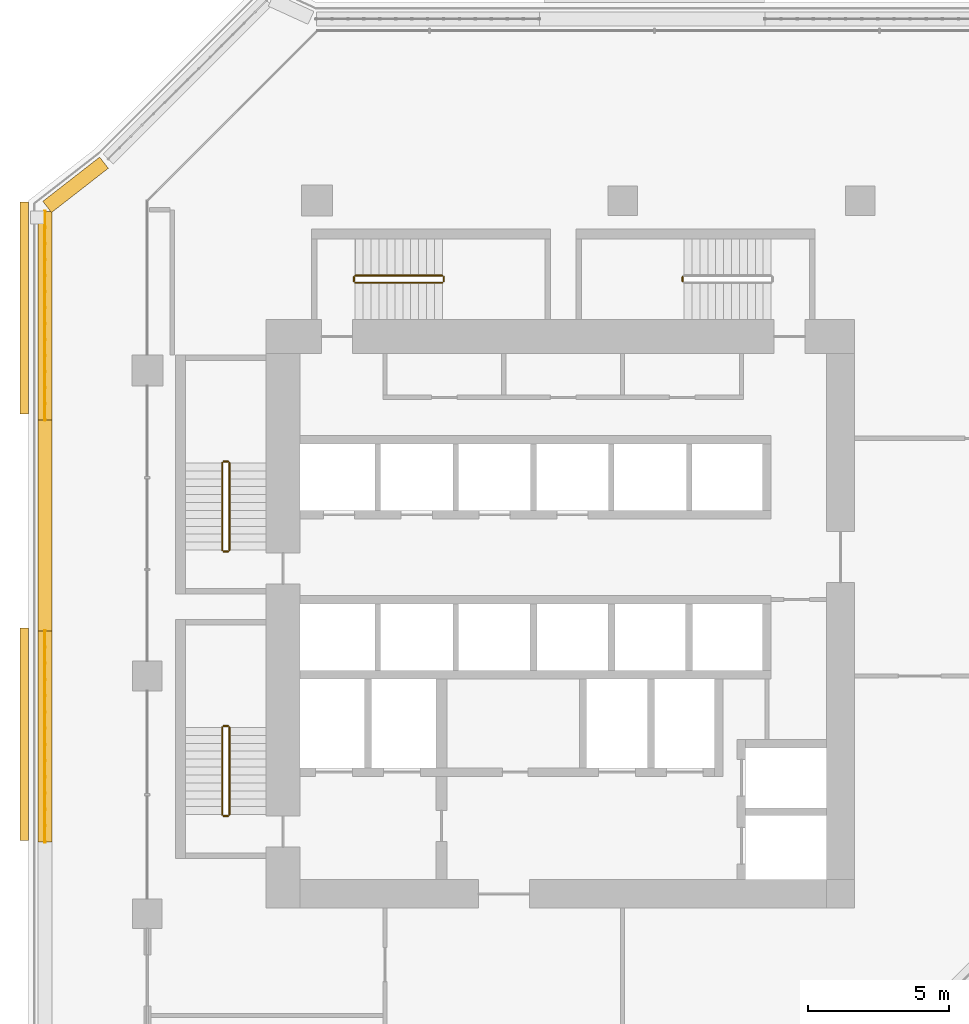
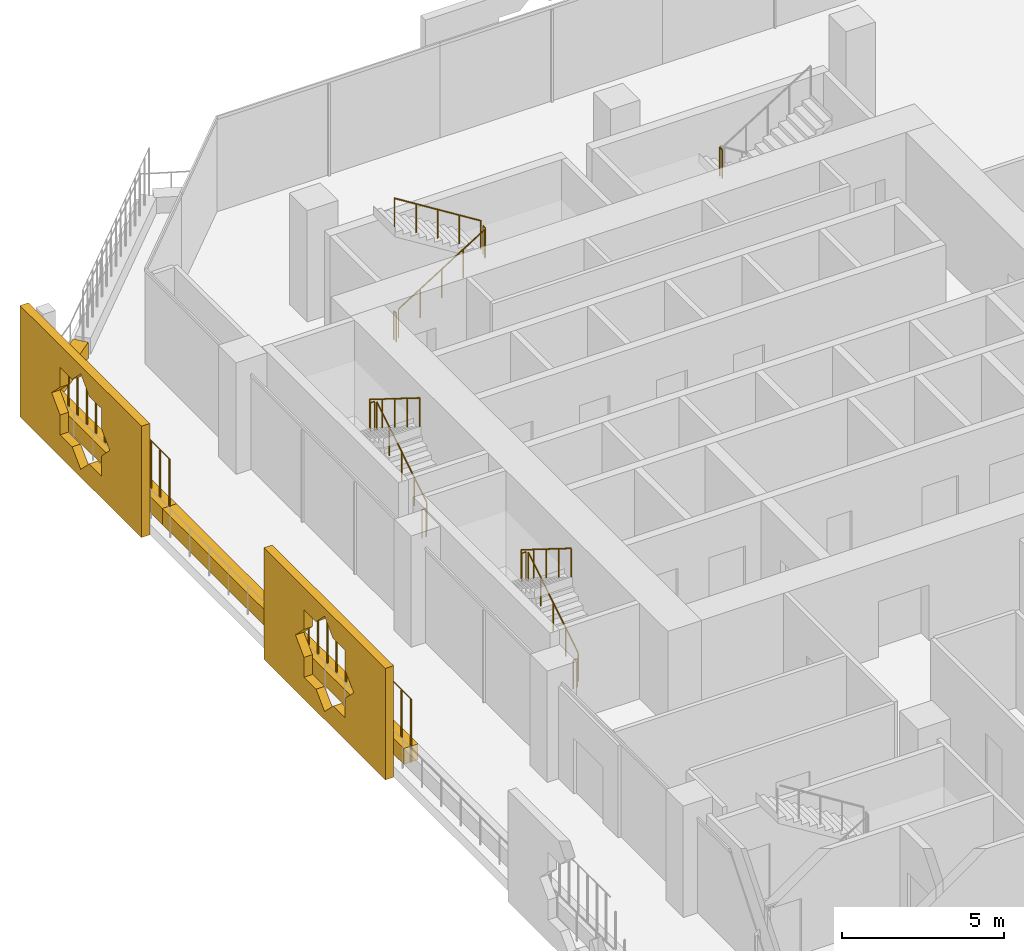
# One storey, part 21 of 25: 15 railings, 6 coverings.
"""IFC4 building model written with IfcOpenShell, lengths in metres."""

from ifc_helpers import new_model, si_unit, direction, frame, origin, origin_2d, place, context, subcontext, project, spatial, polyline, rectangle, circle, outline, extrude, material, material_profile, profile_set, type_object, element, save


model = new_model("IFC4")

# Units and contexts
model_context = context("Model", 3, precision=1e-05, world=origin(), true_north=direction((0.0, 1.0)))
body_context = subcontext(model_context, "Body", "Model", "MODEL_VIEW")
ifc_project = project(units=[si_unit("LENGTHUNIT", "METRE"), si_unit("AREAUNIT", "SQUARE_METRE"), si_unit("VOLUMEUNIT", "CUBIC_METRE"), si_unit("PLANEANGLEUNIT", "RADIAN"), si_unit("MASSUNIT", "GRAM", prefix="KILO")], contexts=[model_context])

# Site, building, storey
site_placement = place(None, origin())
site = spatial("IfcSite", under=ifc_project, at=site_placement, CompositionType="ELEMENT")
building_placement = place(site_placement, origin())
building = spatial("IfcBuilding", under=site, at=building_placement, Name="Kawkab Arch Medical Tower", CompositionType="ELEMENT")
storey_placement = place(building_placement, frame((0.0, 0.0, 145.0)))
storey = spatial("IfcBuildingStorey", under=building, at=storey_placement, Name="L33", CompositionType="ELEMENT", Elevation=145.0)

# Coverings
ifc_material_1 = material(Name="Bronze anodised aluminium mashrabiya panel, eight-point star pattern", Category="aluminium")
ifc_material_profile_1 = material_profile(ifc_material_1, outline(polyline([(-3.75, -2.10009765625), (3.75, -2.10009765625), (3.75, 2.10009765625), (-3.75, 2.10009765625), (-3.75, -2.10009765625)]), holes=[polyline([(1.800048828125, 0.0), (1.272705078125, 0.527099609375), (1.272705078125, 1.272705078125), (0.527099609375, 1.272705078125), (0.0, 1.800048828125), (-0.527099609375, 1.272705078125), (-1.272705078125, 1.272705078125), (-1.272705078125, 0.527099609375), (-1.800048828125, 0.0), (-1.272705078125, -0.527099609375), (-1.272705078125, -1.272705078125), (-0.527099609375, -1.272705078125), (0.0, -1.800048828125), (0.527099609375, -1.272705078125), (1.272705078125, -1.272705078125), (1.272705078125, -0.527099609375), (1.800048828125, 0.0)])]), Name="Mashrabiya panel 7500x4200")
ifc_profile_set_1 = profile_set([ifc_material_profile_1], Name="Bronze anodised aluminium mashrabiya panel, eight-point star pattern")
covering_type_1 = type_object("IfcCoveringType", Name="Mashrabiya panel 7500 x 4200", PredefinedType="USERDEFINED", material=ifc_profile_set_1)
for number, where, z_axis, x_axis, name in (
    (1, (-4.199951171875, -18.8583984375, 1.699951171875), (-1.0, 0.0, 0.0), (0.0, -1.0, 0.0), "Mashrabiya panel L33.LOG-01-01.4"),
    (2, (-4.199951171875, -3.795654296875, 1.699951171875), (-1.0, 0.0, 0.0), (0.0, -1.0, 0.0), "Mashrabiya panel L33.LOG-01-01.5"),
):
    element("IfcCovering", number, at=place(storey_placement, frame(where, z_axis=z_axis, x_axis=x_axis)), inside=storey, type_object=covering_type_1, Name=name, ObjectType="SCREEN", PredefinedType="USERDEFINED", context=body_context, shape_type="SweptSolid", body=[
        extrude(outline(polyline([(-3.75, -2.10009765625), (3.75, -2.10009765625), (3.75, 2.10009765625), (-3.75, 2.10009765625), (-3.75, -2.10009765625)]), holes=[polyline([(1.800048828125, 0.0), (1.272705078125, 0.527099609375), (1.272705078125, 1.272705078125), (0.527099609375, 1.272705078125), (0.0, 1.800048828125), (-0.527099609375, 1.272705078125), (-1.272705078125, 1.272705078125), (-1.272705078125, 0.527099609375), (-1.800048828125, 0.0), (-1.272705078125, -0.527099609375), (-1.272705078125, -1.272705078125), (-0.527099609375, -1.272705078125), (0.0, -1.800048828125), (0.527099609375, -1.272705078125), (1.272705078125, -1.272705078125), (1.272705078125, -0.527099609375), (1.800048828125, 0.0)])]), origin(), (0.0, 0.0, 1.0), 0.300048828125),
    ])
ifc_material_2 = material(Name="Planting soil in a precast trough", Category="concrete")
ifc_material_profile_2 = material_profile(ifc_material_2, rectangle(XDim=0.5, YDim=0.60009765625, at=origin_2d()), Name="Trough 500x600")
ifc_profile_set_2 = profile_set([ifc_material_profile_2], Name="Planting soil in a precast trough")
covering_type_2 = type_object("IfcCoveringType", Name="Planter trough 500 x 600", PredefinedType="USERDEFINED", material=ifc_profile_set_2)
for number, where, z_axis, x_axis, name in (
    (3, (-3.6201171875, -22.6689453125, 0.300048828125), (0.0, 1.0, 0.0), (-1.0, 0.0, 0.0), "Planter L33.LOG-01-01.11"),
    (4, (-3.6201171875, -15.20703125, 0.300048828125), (0.0, 1.0, 0.0), (-1.0, 0.0, 0.0), "Planter L33.LOG-01-01.12"),
):
    element("IfcCovering", number, at=place(storey_placement, frame(where, z_axis=z_axis, x_axis=x_axis)), inside=storey, type_object=covering_type_2, Name=name, ObjectType="PLANTER", PredefinedType="USERDEFINED", context=body_context, shape_type="SweptSolid", body=[
        extrude(rectangle(XDim=0.5, YDim=0.60009765625, at=origin_2d()), origin(), (0.0, 0.0, 1.0), 7.4619140625),
    ])
covering_1_placement = place(storey_placement, frame((-3.6201171875, -7.7451171875, 0.300048828125), z_axis=(0.0, 1.0, 0.0), x_axis=(-1.0, 0.0, 0.0)))
element("IfcCovering", 5, at=covering_1_placement, inside=storey, type_object=covering_type_2, Name="Planter L33.LOG-01-01.13", ObjectType="PLANTER", PredefinedType="USERDEFINED", context=body_context, shape_type="SweptSolid", body=[
    extrude(rectangle(XDim=0.5, YDim=0.60009765625, at=origin_2d()), origin(), (0.0, 0.0, 1.0), 7.361083984375),
])
covering_2_placement = place(storey_placement, frame((-3.541015625, -0.221923828125, 0.300048828125), z_axis=(0.789274742246, 0.61404021143, 0.0), x_axis=(-0.61404021143, 0.789274742246, 0.0)))
element("IfcCovering", 6, at=covering_2_placement, inside=storey, type_object=covering_type_2, Name="Planter L33.LOG-01-01.14", ObjectType="PLANTER", PredefinedType="USERDEFINED", context=body_context, shape_type="SweptSolid", body=[
    extrude(rectangle(XDim=0.5, YDim=0.60009765625, at=origin_2d()), origin(), (0.0, 0.0, 1.0), 2.54541015625),
])

# Railings
ifc_material_3 = material(Name="Bronze anodised aluminium trellis for climbing plants", Category="aluminium")
railing_type_1 = type_object("IfcRailingType", Name="Planting trellis 2400", PredefinedType="USERDEFINED", material=ifc_material_3)
railing_1_placement = place(storey_placement, frame((-3.6201171875, -22.6689453125, 0.0)))
element("IfcRailing", 7, at=railing_1_placement, inside=storey, type_object=railing_type_1, Name="Planting trellis L33.LOG-01-01.11", ObjectType="TRELLIS", PredefinedType="USERDEFINED", context=body_context, shape_type="SweptSolid", body=[
    extrude(circle(Radius=0.01513671875, at=origin_2d()), frame((0.0, 0.0, 2.384765625), z_axis=(0.0, 1.0, 0.0), x_axis=(-1.0, 0.0, 0.0)), (0.0, 0.0, 1.0), 7.4619140625),
    extrude(circle(Radius=0.030029296875, at=origin_2d()), origin(), (0.0, 0.0, 1.0), 2.369873046875),
    extrude(circle(Radius=0.030029296875, at=origin_2d()), frame((0.0, 0.573974609375, 0.0)), (0.0, 0.0, 1.0), 2.369873046875),
    extrude(circle(Radius=0.030029296875, at=origin_2d()), frame((0.0, 1.14794921875, 0.0)), (0.0, 0.0, 1.0), 2.369873046875),
    extrude(circle(Radius=0.030029296875, at=origin_2d()), frame((0.0, 1.721923828125, 0.0)), (0.0, 0.0, 1.0), 2.369873046875),
    extrude(circle(Radius=0.030029296875, at=origin_2d()), frame((0.0, 2.2958984375, 0.0)), (0.0, 0.0, 1.0), 2.369873046875),
    extrude(circle(Radius=0.030029296875, at=origin_2d()), frame((0.0, 2.869873046875, 0.0)), (0.0, 0.0, 1.0), 2.369873046875),
    extrude(circle(Radius=0.030029296875, at=origin_2d()), frame((0.0, 3.44384765625, 0.0)), (0.0, 0.0, 1.0), 2.369873046875),
    extrude(circle(Radius=0.030029296875, at=origin_2d()), frame((0.0, 4.01806640625, 0.0)), (0.0, 0.0, 1.0), 2.369873046875),
    extrude(circle(Radius=0.030029296875, at=origin_2d()), frame((0.0, 4.592041015625, 0.0)), (0.0, 0.0, 1.0), 2.369873046875),
    extrude(circle(Radius=0.030029296875, at=origin_2d()), frame((0.0, 5.166015625, 0.0)), (0.0, 0.0, 1.0), 2.369873046875),
    extrude(circle(Radius=0.030029296875, at=origin_2d()), frame((0.0, 5.739990234375, 0.0)), (0.0, 0.0, 1.0), 2.369873046875),
    extrude(circle(Radius=0.030029296875, at=origin_2d()), frame((0.0, 6.31396484375, 0.0)), (0.0, 0.0, 1.0), 2.369873046875),
    extrude(circle(Radius=0.030029296875, at=origin_2d()), frame((0.0, 6.887939453125, 0.0)), (0.0, 0.0, 1.0), 2.369873046875),
    extrude(circle(Radius=0.030029296875, at=origin_2d()), frame((0.0, 7.4619140625, 0.0)), (0.0, 0.0, 1.0), 2.369873046875),
])
railing_2_placement = place(storey_placement, frame((-3.6201171875, -7.7451171875, 0.0)))
element("IfcRailing", 8, at=railing_2_placement, inside=storey, type_object=railing_type_1, Name="Planting trellis L33.LOG-01-01.13", ObjectType="TRELLIS", PredefinedType="USERDEFINED", context=body_context, shape_type="SweptSolid", body=[
    extrude(circle(Radius=0.01513671875, at=origin_2d()), frame((0.0, 0.0, 2.384765625), z_axis=(0.0, 1.0, 0.0), x_axis=(-1.0, 0.0, 0.0)), (0.0, 0.0, 1.0), 7.361083984375),
    extrude(circle(Radius=0.030029296875, at=origin_2d()), origin(), (0.0, 0.0, 1.0), 2.369873046875),
    extrude(circle(Radius=0.030029296875, at=origin_2d()), frame((0.0, 0.566162109375, 0.0)), (0.0, 0.0, 1.0), 2.369873046875),
    extrude(circle(Radius=0.030029296875, at=origin_2d()), frame((0.0, 1.132568359375, 0.0)), (0.0, 0.0, 1.0), 2.369873046875),
    extrude(circle(Radius=0.030029296875, at=origin_2d()), frame((0.0, 1.69873046875, 0.0)), (0.0, 0.0, 1.0), 2.369873046875),
    extrude(circle(Radius=0.030029296875, at=origin_2d()), frame((0.0, 2.264892578125, 0.0)), (0.0, 0.0, 1.0), 2.369873046875),
    extrude(circle(Radius=0.030029296875, at=origin_2d()), frame((0.0, 2.831298828125, 0.0)), (0.0, 0.0, 1.0), 2.369873046875),
    extrude(circle(Radius=0.030029296875, at=origin_2d()), frame((0.0, 3.3974609375, 0.0)), (0.0, 0.0, 1.0), 2.369873046875),
    extrude(circle(Radius=0.030029296875, at=origin_2d()), frame((0.0, 3.963623046875, 0.0)), (0.0, 0.0, 1.0), 2.369873046875),
    extrude(circle(Radius=0.030029296875, at=origin_2d()), frame((0.0, 4.52978515625, 0.0)), (0.0, 0.0, 1.0), 2.369873046875),
    extrude(circle(Radius=0.030029296875, at=origin_2d()), frame((0.0, 5.09619140625, 0.0)), (0.0, 0.0, 1.0), 2.369873046875),
    extrude(circle(Radius=0.030029296875, at=origin_2d()), frame((0.0, 5.662353515625, 0.0)), (0.0, 0.0, 1.0), 2.369873046875),
    extrude(circle(Radius=0.030029296875, at=origin_2d()), frame((0.0, 6.228515625, 0.0)), (0.0, 0.0, 1.0), 2.369873046875),
    extrude(circle(Radius=0.030029296875, at=origin_2d()), frame((0.0, 6.794921875, 0.0)), (0.0, 0.0, 1.0), 2.369873046875),
    extrude(circle(Radius=0.030029296875, at=origin_2d()), frame((0.0, 7.361083984375, 0.0)), (0.0, 0.0, 1.0), 2.369873046875),
])
ifc_material_4 = material(Name="Stainless steel", Category="steel")
railing_type_2 = type_object("IfcRailingType", Name="Stair guard 1100", PredefinedType="GUARDRAIL", material=ifc_material_4)
railing_3_placement = place(storey_placement, frame((2.89990234375, -12.35009765625, 0.175048828125)))
element("IfcRailing", 9, at=railing_3_placement, inside=storey, type_object=railing_type_2, Name="L33 ST1 stair guard 1", PredefinedType="GUARDRAIL", context=body_context, shape_type="SweptSolid", body=[
    extrude(circle(Radius=0.02392578125, at=origin_2d()), frame((0.0, 0.0, 1.076171875), z_axis=(0.0, 0.847998304005, 0.529998940003), x_axis=(-1.0, 0.0, 0.0)), (0.0, 0.0, 1.0), 3.632080078125),
    extrude(circle(Radius=0.02099609375, at=origin_2d()), origin(), (0.0, 0.0, 1.0), 1.052001953125),
    extrude(circle(Radius=0.02099609375, at=origin_2d()), frame((0.0, 0.77001953125, 0.481201171875)), (0.0, 0.0, 1.0), 1.052001953125),
    extrude(circle(Radius=0.02099609375, at=origin_2d()), frame((0.0, 1.5400390625, 0.96240234375)), (0.0, 0.0, 1.0), 1.052001953125),
    extrude(circle(Radius=0.02099609375, at=origin_2d()), frame((0.0, 2.31005859375, 1.44384765625)), (0.0, 0.0, 1.0), 1.052001953125),
    extrude(circle(Radius=0.02099609375, at=origin_2d()), frame((0.0, 3.080078125, 1.925048828125)), (0.0, 0.0, 1.0), 1.052001953125),
])
railing_4_placement = place(storey_placement, frame((2.85009765625, -9.219970703125, 2.10009765625)))
element("IfcRailing", 10, at=railing_4_placement, inside=storey, type_object=railing_type_2, Name="L33 ST1 stair guard 2", PredefinedType="GUARDRAIL", context=body_context, shape_type="SweptSolid", body=[
    extrude(circle(Radius=0.02392578125, at=origin_2d()), frame((0.0, 0.0, 1.076171875), z_axis=(-1.0, 0.0, 0.0), x_axis=(0.0, -1.0, 0.0)), (0.0, 0.0, 1.0), 0.150146484375),
    extrude(circle(Radius=0.02099609375, at=origin_2d()), origin(), (0.0, 0.0, 1.0), 1.052001953125),
    extrude(circle(Radius=0.02099609375, at=origin_2d()), frame((-0.150146484375, 0.0, 0.0)), (0.0, 0.0, 1.0), 1.052001953125),
])
railing_5_placement = place(storey_placement, frame((2.64990234375, -9.27001953125, 2.27490234375)))
element("IfcRailing", 11, at=railing_5_placement, inside=storey, type_object=railing_type_2, Name="L33 ST1 stair guard 3", PredefinedType="GUARDRAIL", context=body_context, shape_type="SweptSolid", body=[
    extrude(circle(Radius=0.02392578125, at=origin_2d()), frame((0.0, 0.0, 1.076171875), z_axis=(0.0, -0.847998304005, 0.529998940003), x_axis=(1.0, 0.0, 0.0)), (0.0, 0.0, 1.0), 3.632080078125),
    extrude(circle(Radius=0.02099609375, at=origin_2d()), origin(), (0.0, 0.0, 1.0), 1.052001953125),
    extrude(circle(Radius=0.02099609375, at=origin_2d()), frame((0.0, -0.77001953125, 0.481201171875)), (0.0, 0.0, 1.0), 1.052001953125),
    extrude(circle(Radius=0.02099609375, at=origin_2d()), frame((0.0, -1.5400390625, 0.96240234375)), (0.0, 0.0, 1.0), 1.052001953125),
    extrude(circle(Radius=0.02099609375, at=origin_2d()), frame((0.0, -2.31005859375, 1.44384765625)), (0.0, 0.0, 1.0), 1.052001953125),
    extrude(circle(Radius=0.02099609375, at=origin_2d()), frame((0.0, -3.080078125, 1.925048828125)), (0.0, 0.0, 1.0), 1.052001953125),
])
railing_6_placement = place(storey_placement, frame((2.85009765625, -12.39990234375, 0.0)))
element("IfcRailing", 12, at=railing_6_placement, inside=storey, type_object=railing_type_2, Name="L33 ST1 stair guard 4", PredefinedType="GUARDRAIL", context=body_context, shape_type="SweptSolid", body=[
    extrude(circle(Radius=0.02392578125, at=origin_2d()), frame((0.0, 0.0, 1.076171875), z_axis=(-1.0, 0.0, 0.0), x_axis=(0.0, -1.0, 0.0)), (0.0, 0.0, 1.0), 0.150146484375),
    extrude(circle(Radius=0.02099609375, at=origin_2d()), origin(), (0.0, 0.0, 1.0), 1.052001953125),
    extrude(circle(Radius=0.02099609375, at=origin_2d()), frame((-0.150146484375, 0.0, 0.0)), (0.0, 0.0, 1.0), 1.052001953125),
])
railing_7_placement = place(storey_placement, frame((2.89990234375, -21.699951171875, 0.175048828125)))
element("IfcRailing", 13, at=railing_7_placement, inside=storey, type_object=railing_type_2, Name="L33 ST2 stair guard 1", PredefinedType="GUARDRAIL", context=body_context, shape_type="SweptSolid", body=[
    extrude(circle(Radius=0.02392578125, at=origin_2d()), frame((0.0, 0.0, 1.076171875), z_axis=(0.0, 0.847979421464, 0.530029150871), x_axis=(-1.0, 0.0, 0.0)), (0.0, 0.0, 1.0), 3.632080078125),
    extrude(circle(Radius=0.02099609375, at=origin_2d()), origin(), (0.0, 0.0, 1.0), 1.052001953125),
    extrude(circle(Radius=0.02099609375, at=origin_2d()), frame((0.0, 0.77001953125, 0.481201171875)), (0.0, 0.0, 1.0), 1.052001953125),
    extrude(circle(Radius=0.02099609375, at=origin_2d()), frame((0.0, 1.5400390625, 0.96240234375)), (0.0, 0.0, 1.0), 1.052001953125),
    extrude(circle(Radius=0.02099609375, at=origin_2d()), frame((0.0, 2.309814453125, 1.44384765625)), (0.0, 0.0, 1.0), 1.052001953125),
    extrude(circle(Radius=0.02099609375, at=origin_2d()), frame((0.0, 3.079833984375, 1.925048828125)), (0.0, 0.0, 1.0), 1.052001953125),
])
railing_8_placement = place(storey_placement, frame((2.85009765625, -18.570068359375, 2.10009765625)))
element("IfcRailing", 14, at=railing_8_placement, inside=storey, type_object=railing_type_2, Name="L33 ST2 stair guard 2", PredefinedType="GUARDRAIL", context=body_context, shape_type="SweptSolid", body=[
    extrude(circle(Radius=0.02392578125, at=origin_2d()), frame((0.0, 0.0, 1.076171875), z_axis=(-1.0, 0.0, 0.0), x_axis=(0.0, -1.0, 0.0)), (0.0, 0.0, 1.0), 0.150146484375),
    extrude(circle(Radius=0.02099609375, at=origin_2d()), origin(), (0.0, 0.0, 1.0), 1.052001953125),
    extrude(circle(Radius=0.02099609375, at=origin_2d()), frame((-0.150146484375, 0.0, 0.0)), (0.0, 0.0, 1.0), 1.052001953125),
])
railing_9_placement = place(storey_placement, frame((2.64990234375, -18.6201171875, 2.27490234375)))
element("IfcRailing", 15, at=railing_9_placement, inside=storey, type_object=railing_type_2, Name="L33 ST2 stair guard 3", PredefinedType="GUARDRAIL", context=body_context, shape_type="SweptSolid", body=[
    extrude(circle(Radius=0.02392578125, at=origin_2d()), frame((0.0, 0.0, 1.076171875), z_axis=(0.0, -0.847979421464, 0.530029150871), x_axis=(1.0, 0.0, 0.0)), (0.0, 0.0, 1.0), 3.632080078125),
    extrude(circle(Radius=0.02099609375, at=origin_2d()), origin(), (0.0, 0.0, 1.0), 1.052001953125),
    extrude(circle(Radius=0.02099609375, at=origin_2d()), frame((0.0, -0.77001953125, 0.481201171875)), (0.0, 0.0, 1.0), 1.052001953125),
    extrude(circle(Radius=0.02099609375, at=origin_2d()), frame((0.0, -1.5400390625, 0.96240234375)), (0.0, 0.0, 1.0), 1.052001953125),
    extrude(circle(Radius=0.02099609375, at=origin_2d()), frame((0.0, -2.309814453125, 1.44384765625)), (0.0, 0.0, 1.0), 1.052001953125),
    extrude(circle(Radius=0.02099609375, at=origin_2d()), frame((0.0, -3.079833984375, 1.925048828125)), (0.0, 0.0, 1.0), 1.052001953125),
])
railing_10_placement = place(storey_placement, frame((2.85009765625, -21.75, 0.0)))
element("IfcRailing", 16, at=railing_10_placement, inside=storey, type_object=railing_type_2, Name="L33 ST2 stair guard 4", PredefinedType="GUARDRAIL", context=body_context, shape_type="SweptSolid", body=[
    extrude(circle(Radius=0.02392578125, at=origin_2d()), frame((0.0, 0.0, 1.076171875), z_axis=(-1.0, 0.0, 0.0), x_axis=(0.0, -1.0, 0.0)), (0.0, 0.0, 1.0), 0.150146484375),
    extrude(circle(Radius=0.02099609375, at=origin_2d()), origin(), (0.0, 0.0, 1.0), 1.052001953125),
    extrude(circle(Radius=0.02099609375, at=origin_2d()), frame((-0.150146484375, 0.0, 0.0)), (0.0, 0.0, 1.0), 1.052001953125),
])
railing_11_placement = place(storey_placement, frame((7.35009765625, -2.89990234375, 0.175048828125)))
element("IfcRailing", 17, at=railing_11_placement, inside=storey, type_object=railing_type_2, Name="L33 ST3 stair guard 1", PredefinedType="GUARDRAIL", context=body_context, shape_type="SweptSolid", body=[
    extrude(circle(Radius=0.02392578125, at=origin_2d()), frame((0.0, 0.0, 1.076171875), z_axis=(0.847979421464, 0.0, 0.530029150871), x_axis=(0.0, 1.0, 0.0)), (0.0, 0.0, 1.0), 3.632080078125),
    extrude(circle(Radius=0.02099609375, at=origin_2d()), origin(), (0.0, 0.0, 1.0), 1.052001953125),
    extrude(circle(Radius=0.02099609375, at=origin_2d()), frame((0.77001953125, 0.0, 0.481201171875)), (0.0, 0.0, 1.0), 1.052001953125),
    extrude(circle(Radius=0.02099609375, at=origin_2d()), frame((1.5400390625, 0.0, 0.96240234375)), (0.0, 0.0, 1.0), 1.052001953125),
    extrude(circle(Radius=0.02099609375, at=origin_2d()), frame((2.309814453125, 0.0, 1.44384765625)), (0.0, 0.0, 1.0), 1.052001953125),
    extrude(circle(Radius=0.02099609375, at=origin_2d()), frame((3.079833984375, 0.0, 1.925048828125)), (0.0, 0.0, 1.0), 1.052001953125),
])
railing_12_placement = place(storey_placement, frame((10.47998046875, -2.85009765625, 2.10009765625)))
element("IfcRailing", 18, at=railing_12_placement, inside=storey, type_object=railing_type_2, Name="L33 ST3 stair guard 2", PredefinedType="GUARDRAIL", context=body_context, shape_type="SweptSolid", body=[
    extrude(circle(Radius=0.02392578125, at=origin_2d()), frame((0.0, 0.0, 1.076171875), z_axis=(0.0, 1.0, 0.0), x_axis=(-1.0, 0.0, 0.0)), (0.0, 0.0, 1.0), 0.150146484375),
    extrude(circle(Radius=0.02099609375, at=origin_2d()), origin(), (0.0, 0.0, 1.0), 1.052001953125),
    extrude(circle(Radius=0.02099609375, at=origin_2d()), frame((0.0, 0.150146484375, 0.0)), (0.0, 0.0, 1.0), 1.052001953125),
])
railing_13_placement = place(storey_placement, frame((10.429931640625, -2.64990234375, 2.27490234375)))
element("IfcRailing", 19, at=railing_13_placement, inside=storey, type_object=railing_type_2, Name="L33 ST3 stair guard 3", PredefinedType="GUARDRAIL", context=body_context, shape_type="SweptSolid", body=[
    extrude(circle(Radius=0.02392578125, at=origin_2d()), frame((0.0, 0.0, 1.076171875), z_axis=(-0.847979421464, 0.0, 0.530029150871), x_axis=(0.0, -1.0, 0.0)), (0.0, 0.0, 1.0), 3.632080078125),
    extrude(circle(Radius=0.02099609375, at=origin_2d()), origin(), (0.0, 0.0, 1.0), 1.052001953125),
    extrude(circle(Radius=0.02099609375, at=origin_2d()), frame((-0.77001953125, 0.0, 0.481201171875)), (0.0, 0.0, 1.0), 1.052001953125),
    extrude(circle(Radius=0.02099609375, at=origin_2d()), frame((-1.5400390625, 0.0, 0.96240234375)), (0.0, 0.0, 1.0), 1.052001953125),
    extrude(circle(Radius=0.02099609375, at=origin_2d()), frame((-2.309814453125, 0.0, 1.44384765625)), (0.0, 0.0, 1.0), 1.052001953125),
    extrude(circle(Radius=0.02099609375, at=origin_2d()), frame((-3.079833984375, 0.0, 1.925048828125)), (0.0, 0.0, 1.0), 1.052001953125),
])
railing_14_placement = place(storey_placement, frame((7.300048828125, -2.85009765625, 0.0)))
element("IfcRailing", 20, at=railing_14_placement, inside=storey, type_object=railing_type_2, Name="L33 ST3 stair guard 4", PredefinedType="GUARDRAIL", context=body_context, shape_type="SweptSolid", body=[
    extrude(circle(Radius=0.02392578125, at=origin_2d()), frame((0.0, 0.0, 1.076171875), z_axis=(0.0, 1.0, 0.0), x_axis=(-1.0, 0.0, 0.0)), (0.0, 0.0, 1.0), 0.150146484375),
    extrude(circle(Radius=0.02099609375, at=origin_2d()), origin(), (0.0, 0.0, 1.0), 1.052001953125),
    extrude(circle(Radius=0.02099609375, at=origin_2d()), frame((0.0, 0.150146484375, 0.0)), (0.0, 0.0, 1.0), 1.052001953125),
])
railing_15_placement = place(storey_placement, frame((18.919921875, -2.699951171875, 2.10009765625)))
element("IfcRailing", 21, at=railing_15_placement, inside=storey, type_object=railing_type_2, Name="L33 ST4 stair guard 2", PredefinedType="GUARDRAIL", context=body_context, shape_type="SweptSolid", body=[
    extrude(circle(Radius=0.02392578125, at=origin_2d()), frame((0.0, 0.0, 1.076171875), z_axis=(0.0, -1.0, 0.0), x_axis=(1.0, 0.0, 0.0)), (0.0, 0.0, 1.0), 0.150146484375),
    extrude(circle(Radius=0.02099609375, at=origin_2d()), origin(), (0.0, 0.0, 1.0), 1.052001953125),
    extrude(circle(Radius=0.02099609375, at=origin_2d()), frame((0.0, -0.150146484375, 0.0)), (0.0, 0.0, 1.0), 1.052001953125),
])

save(model, "model.ifc")
